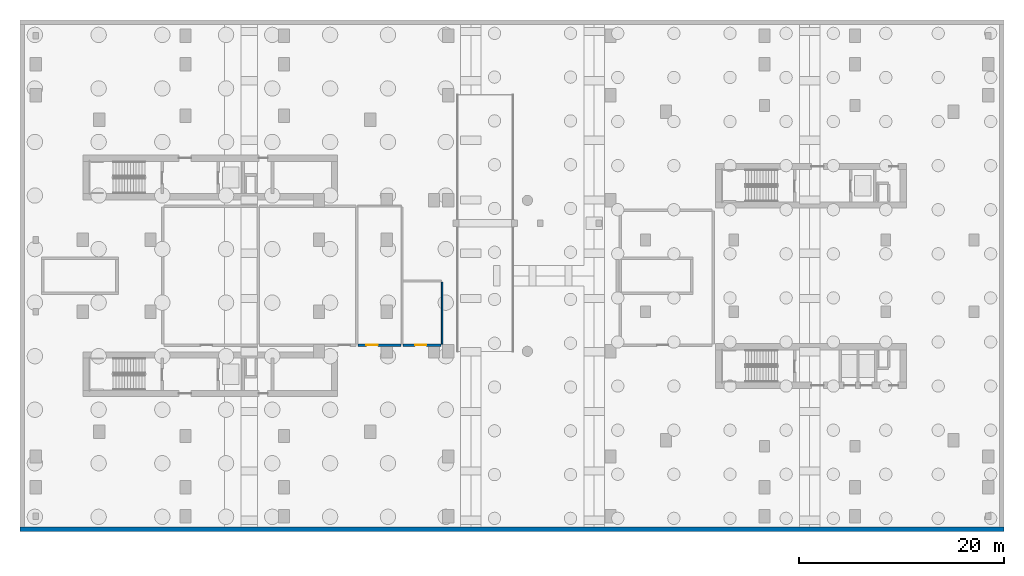
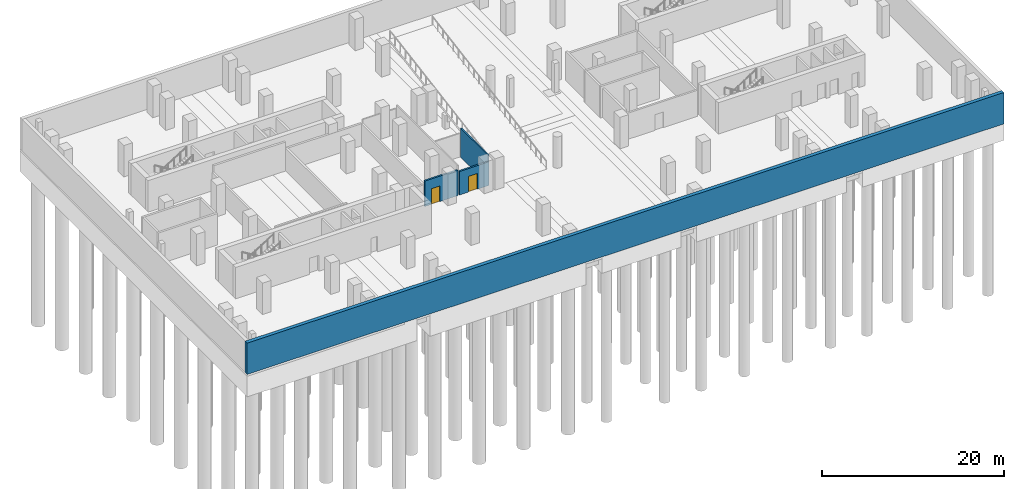
# One storey, part 5 of 14: 4 walls, 2 doors, 2 openings.
"""IFC4 building model written with IfcOpenShell, lengths in metres."""

from ifc_helpers import new_model, si_unit, derived_unit, direction, frame, frame_2d, origin, place, context, subcontext, project, spatial, rectangle, extrude, material, layer, layer_set, type_object, element, fill, save


model = new_model("IFC4")

# Units and contexts
model_context = context("Model", 3, precision=1e-05, world=origin(), true_north=direction((0.0, 1.0)))
body_context = subcontext(model_context, "Body", "Model", "MODEL_VIEW")
ifc_project = project(units=[si_unit("LENGTHUNIT", "METRE"), si_unit("AREAUNIT", "SQUARE_METRE"), si_unit("VOLUMEUNIT", "CUBIC_METRE"), si_unit("PLANEANGLEUNIT", "RADIAN"), si_unit("MASSUNIT", "GRAM", prefix="KILO"), derived_unit("THERMALTRANSMITTANCEUNIT", [(si_unit("POWERUNIT", "WATT"), 1), (si_unit("LENGTHUNIT", "METRE"), -2), (si_unit("THERMODYNAMICTEMPERATUREUNIT", "KELVIN"), -1)])], contexts=[model_context])

# Site, building, storey
site_placement = place(None, origin())
site = spatial("IfcSite", under=ifc_project, at=site_placement, CompositionType="ELEMENT")
building_placement = place(site_placement, origin())
building = spatial("IfcBuilding", under=site, at=building_placement, Name="Kivonza Crest Hotel", CompositionType="ELEMENT")
storey_placement = place(building_placement, frame((0.0, 0.0, -8.39990234375)))
storey = spatial("IfcBuildingStorey", under=building, at=storey_placement, Name="B2", CompositionType="ELEMENT", Elevation=-8.39990234375)

# Wall, opening, door
ifc_material_1 = material(Name="Autoclaved aerated concrete blockwork", Category="masonry")
ifc_layer_1 = layer(ifc_material_1, 0.219970703125)
ifc_layer_set_1 = layer_set([ifc_layer_1], Name="Autoclaved aerated concrete blockwork")
wall_type_1 = type_object("IfcWallType", Name="WL-ACOU-220", PredefinedType="SOLIDWALL", material=ifc_layer_set_1)
wall_1_placement = place(storey_placement, frame((33.0, 18.25, 0.0), z_axis=(0.0, 0.0, 1.0), x_axis=(1.0, 0.0, 0.0)))
wall_1 = element("IfcWall", 1, at=wall_1_placement, inside=storey, type_object=wall_type_1, Name="B2 interior partition WA-B2-STOR-S", PredefinedType="SOLIDWALL", context=body_context, shape_type="SweptSolid", body=[
    extrude(rectangle(XDim=4.199951171875, YDim=0.219970703125, at=frame_2d((2.10009765625, 0.0))), origin(), (0.0, 0.0, 1.0), 3.40478515625),
])
opening_1_placement = place(wall_1_placement, frame((0.824951171875, 0.0, 0.0)))
opening_1 = element("IfcOpeningElement", 2, at=opening_1_placement, cuts=wall_1, Name="Opening DF-60M", PredefinedType="OPENING", context=body_context, shape_type="SweptSolid", body=[
    extrude(rectangle(XDim=1.10009765625, YDim=2.10009765625, at=frame_2d((0.550048828125, 1.050048828125))), frame((0.0, 0.1201171875, 0.0), z_axis=(0.0, -1.0, 0.0), x_axis=(1.0, 0.0, 0.0)), (0.0, 0.0, 1.0), 0.239990234375),
])
ifc_material_2 = material(Name="Hardwood timber oak", Category="wood")
door_type = type_object("IfcDoorType", Name="DR-FD60-1100", OperationType="NOTDEFINED", PredefinedType="DOOR", material=ifc_material_2)
door_1_placement = place(opening_1_placement, origin())
door_1 = element("IfcDoor", 3, at=door_1_placement, inside=storey, type_object=door_type, Name="B2 Bulk Hospitality Storage Room door", OperationType="SINGLE_SWING_LEFT", OverallHeight=2.10009765625, OverallWidth=1.10009765625, PredefinedType="DOOR", context=body_context, shape_type="SweptSolid", body=[
    extrude(rectangle(XDim=1.10009765625, YDim=2.10009765625, at=frame_2d((0.550048828125, 1.050048828125))), frame((0.0, 0.02490234375, 0.0), z_axis=(0.0, -1.0, 0.0), x_axis=(1.0, 0.0, 0.0)), (0.0, 0.0, 1.0), 0.050048828125),
])
fill(opening_1, door_1)

wall_2_placement = place(storey_placement, frame((37.39990234375, 18.25, 0.0), z_axis=(0.0, 0.0, 1.0), x_axis=(1.0, 0.0, 0.0)))
wall_2 = element("IfcWall", 4, at=wall_2_placement, inside=storey, type_object=wall_type_1, Name="B2 interior partition WA-B2-AWC-S", PredefinedType="SOLIDWALL", context=body_context, shape_type="SweptSolid", body=[
    extrude(rectangle(XDim=3.7001953125, YDim=0.219970703125, at=frame_2d((1.85009765625, 0.0))), origin(), (0.0, 0.0, 1.0), 3.15478515625),
])
opening_2_placement = place(wall_2_placement, frame((1.159912109375, 0.0, 0.0)))
opening_2 = element("IfcOpeningElement", 5, at=opening_2_placement, cuts=wall_2, Name="Opening DF-60M", PredefinedType="OPENING", context=body_context, shape_type="SweptSolid", body=[
    extrude(rectangle(XDim=1.10009765625, YDim=2.10009765625, at=frame_2d((0.550048828125, 1.050048828125))), frame((0.0, 0.1201171875, 0.0), z_axis=(0.0, -1.0, 0.0), x_axis=(1.0, 0.0, 0.0)), (0.0, 0.0, 1.0), 0.239990234375),
])
door_2_placement = place(opening_2_placement, origin())
door_2 = element("IfcDoor", 6, at=door_2_placement, inside=storey, type_object=door_type, Name="B2 Basement Accessible WC door", OperationType="SINGLE_SWING_RIGHT", OverallHeight=2.10009765625, OverallWidth=1.10009765625, PredefinedType="DOOR", context=body_context, shape_type="SweptSolid", body=[
    extrude(rectangle(XDim=1.10009765625, YDim=2.10009765625, at=frame_2d((0.550048828125, 1.050048828125))), frame((0.0, 0.02490234375, 0.0), z_axis=(0.0, -1.0, 0.0), x_axis=(1.0, 0.0, 0.0)), (0.0, 0.0, 1.0), 0.050048828125),
])
fill(opening_2, door_2)

# Walls
ifc_material_3 = material(Name="Twin-stud acoustic gypsum board partition", Category="gypsum")
ifc_layer_2 = layer(ifc_material_3, 0.14990234375)
ifc_layer_set_2 = layer_set([ifc_layer_2], Name="Twin-stud acoustic gypsum board partition")
wall_type_2 = type_object("IfcWallType", Name="WL-PART-150", PredefinedType="PARTITIONING", material=ifc_layer_set_2)
wall_3_placement = place(storey_placement, frame((41.199951171875, 18.35009765625, 0.0), z_axis=(0.0, 0.0, 1.0), x_axis=(0.0, 1.0, 0.0)))
element("IfcWall", 7, at=wall_3_placement, inside=storey, type_object=wall_type_2, Name="B2 interior partition WP-B2-AWC-BE", PredefinedType="PARTITIONING", context=body_context, shape_type="SweptSolid", body=[
    extrude(rectangle(XDim=6.0498046875, YDim=0.14990234375, at=frame_2d((3.02490234375, 0.0))), origin(), (0.0, 0.0, 1.0), 3.8798828125),
])
ifc_material_4 = material(Name="Concrete C40/50", Category="concrete")
ifc_layer_3 = layer(ifc_material_4, 0.449951171875)
ifc_layer_set_3 = layer_set([ifc_layer_3], Name="Concrete C40/50")
wall_type_3 = type_object("IfcWallType", Name="WL-RET-450", PredefinedType="USERDEFINED", material=ifc_layer_set_3)
wall_4_placement = place(storey_placement, frame((0.080078125, 0.304931640625, 0.0), z_axis=(0.0, 0.0, 1.0), x_axis=(1.0, 0.0, 0.0)))
element("IfcWall", 8, at=wall_4_placement, inside=storey, type_object=wall_type_3, Name="B2 South basement retaining wall", ObjectType="RETAININGWALL", PredefinedType="USERDEFINED", context=body_context, shape_type="SweptSolid", body=[
    extrude(rectangle(XDim=95.83984375, YDim=0.449951171875, at=frame_2d((47.919921875, 0.0))), origin(), (0.0, 0.0, 1.0), 4.199951171875),
])

save(model, "model.ifc")
